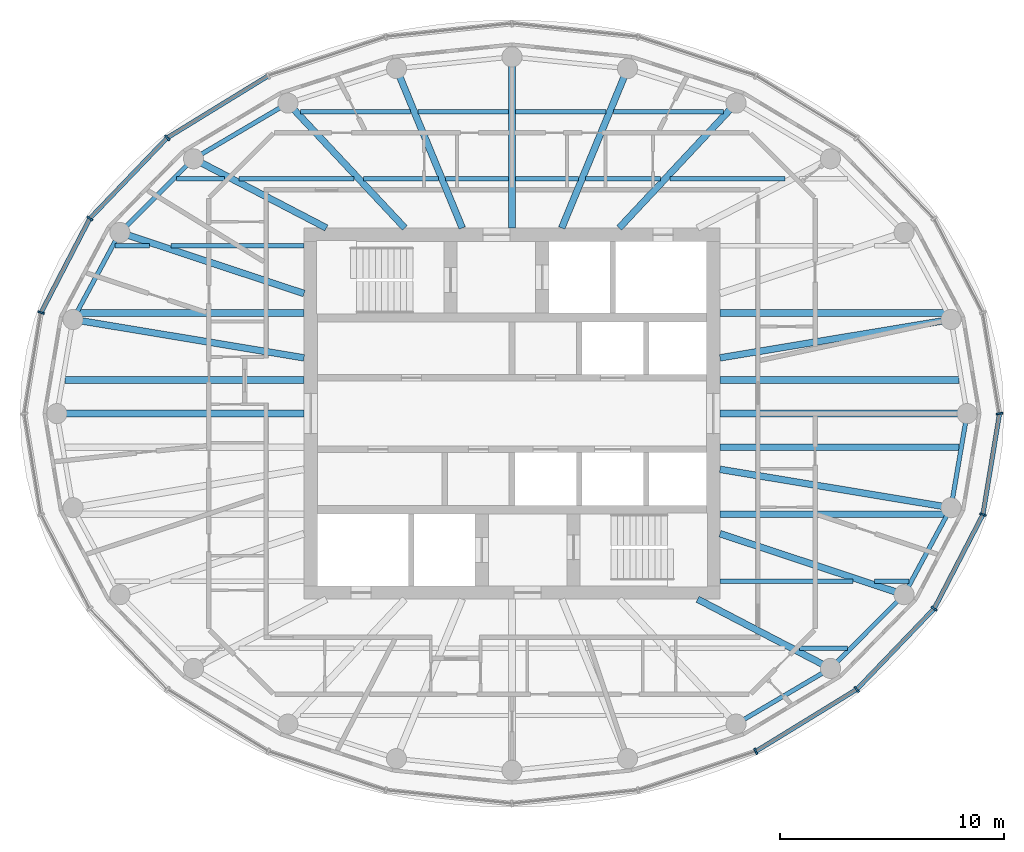
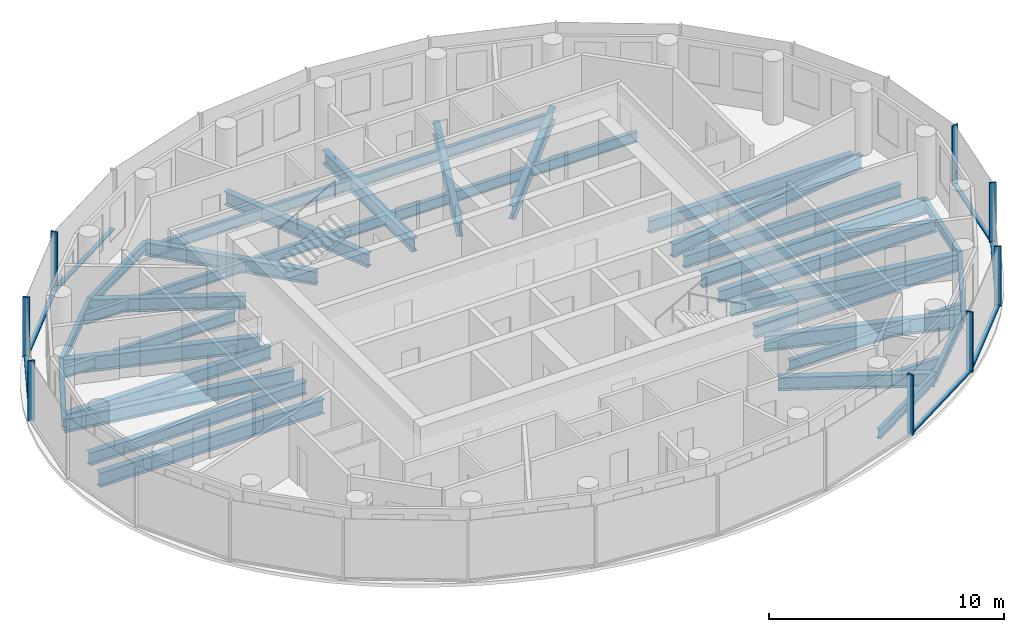
# One storey, part 2 of 11: 43 beams, 15 members, 3 elements without a shape of their own.
"""IFC4 building model written with IfcOpenShell, lengths in metres."""

from ifc_helpers import new_model, si_unit, direction, frame, origin, origin_2d, place, context, subcontext, project, spatial, rectangle, i_section, extrude, material, material_profile, profile_set, type_object, element, aggregate, save


model = new_model("IFC4")

# Units and contexts
model_context = context("Model", 3, precision=1e-05, world=origin(), true_north=direction((0.0, 1.0)))
body_context = subcontext(model_context, "Body", "Model", "MODEL_VIEW")
ifc_project = project(units=[si_unit("LENGTHUNIT", "METRE"), si_unit("AREAUNIT", "SQUARE_METRE"), si_unit("VOLUMEUNIT", "CUBIC_METRE"), si_unit("PLANEANGLEUNIT", "RADIAN"), si_unit("MASSUNIT", "GRAM", prefix="KILO")], contexts=[model_context])

# Site, building, storey
site_placement = place(None, origin())
site = spatial("IfcSite", under=ifc_project, at=site_placement, CompositionType="ELEMENT")
building_placement = place(site_placement, origin())
building = spatial("IfcBuilding", under=site, at=building_placement, Name="Hankou Lantern Tower", CompositionType="ELEMENT")
storey_placement = place(building_placement, frame((0.0, 0.0, 202.800048828125)))
storey = spatial("IfcBuildingStorey", under=building, at=storey_placement, Name="L54", CompositionType="ELEMENT", Elevation=202.800048828125)

# Beams
ifc_material_1 = material(Name="Steel Q355B", Category="steel")
ifc_material_profile_1 = material_profile(ifc_material_1, i_section(OverallWidth=0.199951171875, OverallDepth=0.5, WebThickness=0.010009765625, FlangeThickness=0.01611328125, FilletRadius=0.012939453125, at=origin_2d()), Name="HN500x200x10x16")
ifc_profile_set_1 = profile_set([ifc_material_profile_1], Name="Steel Q355B")
beam_type_1 = type_object("IfcBeamType", Name="EB5 RING BEAM HN500x200x10x16", PredefinedType="SPANDREL", material=ifc_profile_set_1)
beam_1_placement = place(storey_placement, frame((-10.01904296875, 13.8828125, -0.429931640625), z_axis=(-0.861422897323, -0.507888365655, 0.0), x_axis=(0.507888365655, -0.861422897323, 0.0)))
element("IfcBeam", 1, at=beam_1_placement, inside=storey, type_object=beam_type_1, Name="Ring beam R09-R10 L54", PredefinedType="SPANDREL", context=body_context, shape_type="SweptSolid", body=[
    extrude(i_section(OverallWidth=0.199951171875, OverallDepth=0.5, WebThickness=0.010009765625, FlangeThickness=0.01611328125, FilletRadius=0.012939453125, at=origin_2d()), origin(), (0.0, 0.0, 1.0), 4.901611328125),
])
beam_2_placement = place(storey_placement, frame((-14.241455078125, 11.393310546875, -0.429931640625), z_axis=(-0.706608588034, -0.707604623583, 0.0), x_axis=(0.707604623583, -0.706608588034, 0.0)))
element("IfcBeam", 2, at=beam_2_placement, inside=storey, type_object=beam_type_1, Name="Ring beam R10-R11 L54", PredefinedType="SPANDREL", context=body_context, shape_type="SweptSolid", body=[
    extrude(i_section(OverallWidth=0.199951171875, OverallDepth=0.5, WebThickness=0.010009765625, FlangeThickness=0.01611328125, FilletRadius=0.012939453125, at=origin_2d()), origin(), (0.0, 0.0, 1.0), 4.6572265625),
])
beam_3_placement = place(storey_placement, frame((-17.5322265625, 8.097900390625, -0.429931640625), z_axis=(-0.474491806611, -0.880259919262, 0.0), x_axis=(0.880259919262, -0.474491806611, 0.0)))
element("IfcBeam", 3, at=beam_3_placement, inside=storey, type_object=beam_type_1, Name="Ring beam R11-R12 L54", PredefinedType="SPANDREL", context=body_context, shape_type="SweptSolid", body=[
    extrude(i_section(OverallWidth=0.199951171875, OverallDepth=0.5, WebThickness=0.010009765625, FlangeThickness=0.01611328125, FilletRadius=0.012939453125, at=origin_2d()), origin(), (0.0, 0.0, 1.0), 4.419189453125),
])
beam_4_placement = place(storey_placement, frame((10.01904296875, -13.8828125, -0.429931640625), z_axis=(0.861422897323, 0.507888365655, 0.0), x_axis=(-0.507888365655, 0.861422897323, 0.0)))
element("IfcBeam", 4, at=beam_4_placement, inside=storey, type_object=beam_type_1, Name="Ring beam R21-R22 L54", PredefinedType="SPANDREL", context=body_context, shape_type="SweptSolid", body=[
    extrude(i_section(OverallWidth=0.199951171875, OverallDepth=0.5, WebThickness=0.010009765625, FlangeThickness=0.01611328125, FilletRadius=0.012939453125, at=origin_2d()), origin(), (0.0, 0.0, 1.0), 4.901611328125),
])
beam_5_placement = place(storey_placement, frame((14.241455078125, -11.393310546875, -0.429931640625), z_axis=(0.706608588034, 0.707604623583, 0.0), x_axis=(-0.707604623583, 0.706608588034, 0.0)))
element("IfcBeam", 5, at=beam_5_placement, inside=storey, type_object=beam_type_1, Name="Ring beam R22-R23 L54", PredefinedType="SPANDREL", context=body_context, shape_type="SweptSolid", body=[
    extrude(i_section(OverallWidth=0.199951171875, OverallDepth=0.5, WebThickness=0.010009765625, FlangeThickness=0.01611328125, FilletRadius=0.012939453125, at=origin_2d()), origin(), (0.0, 0.0, 1.0), 4.6572265625),
])
beam_6_placement = place(storey_placement, frame((17.5322265625, -8.097900390625, -0.429931640625), z_axis=(0.474491806611, 0.880259919262, 0.0), x_axis=(-0.880259919262, 0.474491806611, 0.0)))
element("IfcBeam", 6, at=beam_6_placement, inside=storey, type_object=beam_type_1, Name="Ring beam R23-R24 L54", PredefinedType="SPANDREL", context=body_context, shape_type="SweptSolid", body=[
    extrude(i_section(OverallWidth=0.199951171875, OverallDepth=0.5, WebThickness=0.010009765625, FlangeThickness=0.01611328125, FilletRadius=0.012939453125, at=origin_2d()), origin(), (0.0, 0.0, 1.0), 4.419189453125),
])
beam_7_placement = place(storey_placement, frame((19.629150390625, -4.207763671875, -0.429931640625), z_axis=(0.168876512999, 0.98563721691, 0.0), x_axis=(-0.98563721691, 0.168876512999, 0.0)))
element("IfcBeam", 7, at=beam_7_placement, inside=storey, type_object=beam_type_1, Name="Ring beam R24-R01 L54", PredefinedType="SPANDREL", context=body_context, shape_type="SweptSolid", body=[
    extrude(i_section(OverallWidth=0.199951171875, OverallDepth=0.5, WebThickness=0.010009765625, FlangeThickness=0.01611328125, FilletRadius=0.012939453125, at=origin_2d()), origin(), (0.0, 0.0, 1.0), 4.26904296875),
])

# Curtain wall, member
ifc_material_2 = material(Name="Glass, dark grey tinted laminated", Category="glass")
curtain_wall_type = type_object("IfcCurtainWallType", Name="CWD OUTER SKIN SUITE", PredefinedType="USERDEFINED", material=ifc_material_2)
curtain_wall_1_placement = place(storey_placement, origin())
curtain_wall_1 = element("IfcCurtainWall", 8, at=curtain_wall_1_placement, inside=storey, type_object=curtain_wall_type, Name="CWD L54 OS1", ObjectType="OUTER SKIN SUITE", PredefinedType="USERDEFINED")
ifc_material_3 = material(Name="Aluminium, black anodised", Category="aluminium")
ifc_material_profile_2 = material_profile(ifc_material_3, rectangle(XDim=0.080078125, YDim=0.300048828125, at=origin_2d()), Name="MU1 80X300")
ifc_profile_set_2 = profile_set([ifc_material_profile_2], Name="Aluminium, black anodised")
member_type_1 = type_object("IfcMemberType", Name="MU1 OUTER SKIN MULLION 80X300", PredefinedType="MULLION", material=ifc_profile_set_2)
member_1_placement = place(storey_placement, frame((21.800048828125, 0.0, 0.0), z_axis=(0.0, 0.0, 1.0), x_axis=(-0.162381515188, 0.986728049427, 0.0)))
member_1 = element("IfcMember", 9, at=member_1_placement, type_object=member_type_1, Name="CWD mullion 1", PredefinedType="MULLION", context=body_context, shape_type="SweptSolid", body=[
    extrude(rectangle(XDim=0.080078125, YDim=0.300048828125, at=origin_2d()), origin(), (0.0, 0.0, 1.0), 3.119873046875),
])
aggregate(curtain_wall_1, [member_1])

# Curtain wall, members
curtain_wall_2_placement = place(storey_placement, origin())
curtain_wall_2 = element("IfcCurtainWall", 10, at=curtain_wall_2_placement, inside=storey, type_object=curtain_wall_type, Name="CWD L54 OS2", ObjectType="OUTER SKIN SUITE", PredefinedType="USERDEFINED")
member_2_placement = place(storey_placement, frame((-15.4150390625, 12.33203125, 0.0), z_axis=(0.0, 0.0, 1.0), x_axis=(-0.780868809444, -0.624695047553, 0.0)))
member_2 = element("IfcMember", 11, at=member_2_placement, type_object=member_type_1, Name="CWD mullion 4", PredefinedType="MULLION", context=body_context, shape_type="SweptSolid", body=[
    extrude(rectangle(XDim=0.080078125, YDim=0.300048828125, at=origin_2d()), origin(), (0.0, 0.0, 1.0), 3.119873046875),
])
member_3_placement = place(storey_placement, frame((-18.87939453125, 8.719970703125, 0.0), z_axis=(0.0, 0.0, 1.0), x_axis=(-0.585205735974, -0.810884854084, 0.0)))
member_3 = element("IfcMember", 12, at=member_3_placement, type_object=member_type_1, Name="CWD mullion 5", PredefinedType="MULLION", context=body_context, shape_type="SweptSolid", body=[
    extrude(rectangle(XDim=0.080078125, YDim=0.300048828125, at=origin_2d()), origin(), (0.0, 0.0, 1.0), 3.119873046875),
])
member_4_placement = place(storey_placement, frame((-21.05712890625, 4.513916015625, 0.0), z_axis=(0.0, 0.0, 1.0), x_axis=(-0.317595577365, -0.94822626479, 0.0)))
member_4 = element("IfcMember", 13, at=member_4_placement, type_object=member_type_1, Name="CWD mullion 6", PredefinedType="MULLION", context=body_context, shape_type="SweptSolid", body=[
    extrude(rectangle(XDim=0.080078125, YDim=0.300048828125, at=origin_2d()), origin(), (0.0, 0.0, 1.0), 3.119873046875),
])

curtain_wall_3_placement = place(storey_placement, origin())
curtain_wall_3 = element("IfcCurtainWall", 14, at=curtain_wall_3_placement, inside=storey, type_object=curtain_wall_type, Name="CWD L54 OS4", ObjectType="OUTER SKIN SUITE", PredefinedType="USERDEFINED")
member_5_placement = place(storey_placement, frame((10.89990234375, -15.103515625, 0.0), z_axis=(0.0, 0.0, 1.0), x_axis=(0.907841299004, 0.419313934686, 0.0)))
member_5 = element("IfcMember", 15, at=member_5_placement, type_object=member_type_1, Name="CWD mullion 3", PredefinedType="MULLION", context=body_context, shape_type="SweptSolid", body=[
    extrude(rectangle(XDim=0.080078125, YDim=0.300048828125, at=origin_2d()), origin(), (0.0, 0.0, 1.0), 3.119873046875),
])
member_6_placement = place(storey_placement, frame((15.4150390625, -12.33203125, 0.0), z_axis=(0.0, 0.0, 1.0), x_axis=(0.780868809444, 0.624695047553, 0.0)))
member_6 = element("IfcMember", 16, at=member_6_placement, type_object=member_type_1, Name="CWD mullion 4", PredefinedType="MULLION", context=body_context, shape_type="SweptSolid", body=[
    extrude(rectangle(XDim=0.080078125, YDim=0.300048828125, at=origin_2d()), origin(), (0.0, 0.0, 1.0), 3.119873046875),
])
member_7_placement = place(storey_placement, frame((18.87939453125, -8.719970703125, 0.0), z_axis=(0.0, 0.0, 1.0), x_axis=(0.585205735974, 0.810884854084, 0.0)))
member_7 = element("IfcMember", 17, at=member_7_placement, type_object=member_type_1, Name="CWD mullion 5", PredefinedType="MULLION", context=body_context, shape_type="SweptSolid", body=[
    extrude(rectangle(XDim=0.080078125, YDim=0.300048828125, at=origin_2d()), origin(), (0.0, 0.0, 1.0), 3.119873046875),
])
member_8_placement = place(storey_placement, frame((21.05712890625, -4.513916015625, 0.0), z_axis=(0.0, 0.0, 1.0), x_axis=(0.317595577365, 0.94822626479, 0.0)))
member_8 = element("IfcMember", 18, at=member_8_placement, type_object=member_type_1, Name="CWD mullion 6", PredefinedType="MULLION", context=body_context, shape_type="SweptSolid", body=[
    extrude(rectangle(XDim=0.080078125, YDim=0.300048828125, at=origin_2d()), origin(), (0.0, 0.0, 1.0), 3.119873046875),
])

# Beams
ifc_material_4 = material(Name="Steel Q355B", Category="steel")
ifc_material_profile_3 = material_profile(ifc_material_4, i_section(OverallWidth=0.300048828125, OverallDepth=0.75, WebThickness=0.012939453125, FlangeThickness=0.02392578125, FilletRadius=0.01806640625, at=origin_2d()), Name="HN750x300x13x24")
ifc_profile_set_3 = profile_set([ifc_material_profile_3], Name="Steel Q355B")
beam_type_2 = type_object("IfcBeamType", Name="RB10 RADIAL BEAM HN750x300x13x24", PredefinedType="BEAM", material=ifc_profile_set_3)
for number, where, z_axis, x_axis, name in (
    (19, (9.300048828125, 0.0, -0.554931640625), (1.0, 0.0, 0.0), (0.0, 1.0, 0.0), "Radial beam R01 L54"),
    (20, (-9.300048828125, 0.0, -0.554931640625), (-1.0, 0.0, 0.0), (0.0, -1.0, 0.0), "Radial beam R13 L54"),
):
    element("IfcBeam", number, at=place(storey_placement, frame(where, z_axis=z_axis, x_axis=x_axis)), inside=storey, type_object=beam_type_2, Name=name, PredefinedType="BEAM", context=body_context, shape_type="SweptSolid", body=[
        extrude(i_section(OverallWidth=0.300048828125, OverallDepth=0.75, WebThickness=0.012939453125, FlangeThickness=0.02392578125, FilletRadius=0.01806640625, at=origin_2d()), origin(), (0.0, 0.0, 1.0), 11.050048828125),
    ])
ifc_material_5 = material(Name="Steel Q355B", Category="steel")
ifc_material_profile_4 = material_profile(ifc_material_5, i_section(OverallWidth=0.300048828125, OverallDepth=0.800048828125, WebThickness=0.013916015625, FlangeThickness=0.02587890625, FilletRadius=0.01806640625, at=origin_2d()), Name="HN800x300x14x26")
ifc_profile_set_4 = profile_set([ifc_material_profile_4], Name="Steel Q355B")
beam_type_3 = type_object("IfcBeamType", Name="RB11 RADIAL BEAM HN800x300x14x26", PredefinedType="BEAM", material=ifc_profile_set_4)
for number, where, z_axis, x_axis, name in (
    (21, (-9.300048828125, 5.369384765625, -0.580078125), (-0.949219608576, 0.314614263337, 0.0), (-0.314614263337, -0.949219608576, 0.0), "Radial beam R11 L54"),
    (22, (9.300048828125, -5.369384765625, -0.580078125), (0.949219608576, -0.314614263337, 0.0), (0.314614263337, 0.949219608576, 0.0), "Radial beam R23 L54"),
):
    element("IfcBeam", number, at=place(storey_placement, frame(where, z_axis=z_axis, x_axis=x_axis)), inside=storey, type_object=beam_type_3, Name=name, PredefinedType="BEAM", context=body_context, shape_type="SweptSolid", body=[
        extrude(i_section(OverallWidth=0.300048828125, OverallDepth=0.800048828125, WebThickness=0.013916015625, FlangeThickness=0.02587890625, FilletRadius=0.01806640625, at=origin_2d()), origin(), (0.0, 0.0, 1.0), 8.672607421875),
    ])
ifc_material_6 = material(Name="Steel Q355B", Category="steel")
ifc_material_profile_5 = material_profile(ifc_material_6, i_section(OverallWidth=0.300048828125, OverallDepth=0.699951171875, WebThickness=0.012939453125, FlangeThickness=0.02392578125, FilletRadius=0.01806640625, at=origin_2d()), Name="HN700x300x13x24")
ifc_profile_set_5 = profile_set([ifc_material_profile_5], Name="Steel Q355B")
beam_type_4 = type_object("IfcBeamType", Name="RB9 RADIAL BEAM HN700x300x13x24", PredefinedType="BEAM", material=ifc_profile_set_5)
beam_8_placement = place(storey_placement, frame((9.300048828125, 2.491943359375, -0.530029296875), z_axis=(0.986482007061, 0.163869612027, 0.0), x_axis=(-0.163869612027, 0.986482007061, 0.0)))
element("IfcBeam", 23, at=beam_8_placement, inside=storey, type_object=beam_type_4, Name="Radial beam R02 L54", PredefinedType="BEAM", context=body_context, shape_type="SweptSolid", body=[
    extrude(i_section(OverallWidth=0.300048828125, OverallDepth=0.699951171875, WebThickness=0.012939453125, FlangeThickness=0.02392578125, FilletRadius=0.01806640625, at=origin_2d()), origin(), (0.0, 0.0, 1.0), 10.470703125),
])
beam_9_placement = place(storey_placement, frame((4.7919921875, 8.300048828125, -0.530029296875), z_axis=(0.68346844743, 0.729980055459, 0.0), x_axis=(-0.729980055459, 0.68346844743, 0.0)))
element("IfcBeam", 24, at=beam_9_placement, inside=storey, type_object=beam_type_4, Name="Radial beam R05 L54", PredefinedType="BEAM", context=body_context, shape_type="SweptSolid", body=[
    extrude(i_section(OverallWidth=0.300048828125, OverallDepth=0.699951171875, WebThickness=0.012939453125, FlangeThickness=0.02392578125, FilletRadius=0.01806640625, at=origin_2d()), origin(), (0.0, 0.0, 1.0), 7.64794921875),
])
beam_10_placement = place(storey_placement, frame((2.223876953125, 8.300048828125, -0.530029296875), z_axis=(0.381706648123, 0.924283525104, 0.0), x_axis=(-0.924283525104, 0.381706648123, 0.0)))
element("IfcBeam", 25, at=beam_10_placement, inside=storey, type_object=beam_type_4, Name="Radial beam R06 L54", PredefinedType="BEAM", context=body_context, shape_type="SweptSolid", body=[
    extrude(i_section(OverallWidth=0.300048828125, OverallDepth=0.699951171875, WebThickness=0.012939453125, FlangeThickness=0.02392578125, FilletRadius=0.01806640625, at=origin_2d()), origin(), (0.0, 0.0, 1.0), 7.7109375),
])
beam_11_placement = place(storey_placement, frame((0.0, 8.300048828125, -0.530029296875), z_axis=(0.0, 1.0, 0.0), x_axis=(-1.0, 0.0, 0.0)))
element("IfcBeam", 26, at=beam_11_placement, inside=storey, type_object=beam_type_4, Name="Radial beam R07 L54", PredefinedType="BEAM", context=body_context, shape_type="SweptSolid", body=[
    extrude(i_section(OverallWidth=0.300048828125, OverallDepth=0.699951171875, WebThickness=0.012939453125, FlangeThickness=0.02392578125, FilletRadius=0.01806640625, at=origin_2d()), origin(), (0.0, 0.0, 1.0), 7.64990234375),
])
beam_12_placement = place(storey_placement, frame((-2.223876953125, 8.300048828125, -0.530029296875), z_axis=(-0.381706648123, 0.924283525104, 0.0), x_axis=(-0.924283525104, -0.381706648123, 0.0)))
element("IfcBeam", 27, at=beam_12_placement, inside=storey, type_object=beam_type_4, Name="Radial beam R08 L54", PredefinedType="BEAM", context=body_context, shape_type="SweptSolid", body=[
    extrude(i_section(OverallWidth=0.300048828125, OverallDepth=0.699951171875, WebThickness=0.012939453125, FlangeThickness=0.02392578125, FilletRadius=0.01806640625, at=origin_2d()), origin(), (0.0, 0.0, 1.0), 7.7109375),
])
beam_13_placement = place(storey_placement, frame((-4.7919921875, 8.300048828125, -0.530029296875), z_axis=(-0.68346844743, 0.729980055459, 0.0), x_axis=(-0.729980055459, -0.68346844743, 0.0)))
element("IfcBeam", 28, at=beam_13_placement, inside=storey, type_object=beam_type_4, Name="Radial beam R09 L54", PredefinedType="BEAM", context=body_context, shape_type="SweptSolid", body=[
    extrude(i_section(OverallWidth=0.300048828125, OverallDepth=0.699951171875, WebThickness=0.012939453125, FlangeThickness=0.02392578125, FilletRadius=0.01806640625, at=origin_2d()), origin(), (0.0, 0.0, 1.0), 7.64794921875),
])
beam_14_placement = place(storey_placement, frame((-8.300048828125, 8.300048828125, -0.530029296875), z_axis=(-0.886988734783, 0.461791061378, 0.0), x_axis=(-0.461791061378, -0.886988734783, 0.0)))
element("IfcBeam", 29, at=beam_14_placement, inside=storey, type_object=beam_type_4, Name="Radial beam R10 L54", PredefinedType="BEAM", context=body_context, shape_type="SweptSolid", body=[
    extrude(i_section(OverallWidth=0.300048828125, OverallDepth=0.699951171875, WebThickness=0.012939453125, FlangeThickness=0.02392578125, FilletRadius=0.01806640625, at=origin_2d()), origin(), (0.0, 0.0, 1.0), 6.698486328125),
])
beam_15_placement = place(storey_placement, frame((-9.300048828125, 2.491943359375, -0.530029296875), z_axis=(-0.986482007061, 0.163869612027, 0.0), x_axis=(-0.163869612027, -0.986482007061, 0.0)))
element("IfcBeam", 30, at=beam_15_placement, inside=storey, type_object=beam_type_4, Name="Radial beam R12 L54", PredefinedType="BEAM", context=body_context, shape_type="SweptSolid", body=[
    extrude(i_section(OverallWidth=0.300048828125, OverallDepth=0.699951171875, WebThickness=0.012939453125, FlangeThickness=0.02392578125, FilletRadius=0.01806640625, at=origin_2d()), origin(), (0.0, 0.0, 1.0), 10.470703125),
])
beam_16_placement = place(storey_placement, frame((8.300048828125, -8.300048828125, -0.530029296875), z_axis=(0.886988734783, -0.461791061378, 0.0), x_axis=(0.461791061378, 0.886988734783, 0.0)))
element("IfcBeam", 31, at=beam_16_placement, inside=storey, type_object=beam_type_4, Name="Radial beam R22 L54", PredefinedType="BEAM", context=body_context, shape_type="SweptSolid", body=[
    extrude(i_section(OverallWidth=0.300048828125, OverallDepth=0.699951171875, WebThickness=0.012939453125, FlangeThickness=0.02392578125, FilletRadius=0.01806640625, at=origin_2d()), origin(), (0.0, 0.0, 1.0), 6.698486328125),
])
beam_17_placement = place(storey_placement, frame((9.300048828125, -2.491943359375, -0.530029296875), z_axis=(0.986482007061, -0.163869612027, 0.0), x_axis=(0.163869612027, 0.986482007061, 0.0)))
element("IfcBeam", 32, at=beam_17_placement, inside=storey, type_object=beam_type_4, Name="Radial beam R24 L54", PredefinedType="BEAM", context=body_context, shape_type="SweptSolid", body=[
    extrude(i_section(OverallWidth=0.300048828125, OverallDepth=0.699951171875, WebThickness=0.012939453125, FlangeThickness=0.02392578125, FilletRadius=0.01806640625, at=origin_2d()), origin(), (0.0, 0.0, 1.0), 10.470703125),
])
ifc_material_7 = material(Name="Steel Q355B", Category="steel")
ifc_material_profile_6 = material_profile(ifc_material_7, i_section(OverallWidth=0.199951171875, OverallDepth=0.550048828125, WebThickness=0.010009765625, FlangeThickness=0.01611328125, FilletRadius=0.012939453125, at=origin_2d()), Name="HN550x200x10x16")
ifc_profile_set_6 = profile_set([ifc_material_profile_6], Name="Steel Q355B")
beam_type_5 = type_object("IfcBeamType", Name="SB6 SECONDARY BEAM HN550x200x10x16", PredefinedType="JOIST", material=ifc_profile_set_6)
beam_18_placement = place(storey_placement, frame((12.8505859375, -10.5, -0.455078125), z_axis=(1.0, 0.0, 0.0), x_axis=(0.0, 1.0, 0.0)))
element("IfcBeam", 33, at=beam_18_placement, inside=storey, type_object=beam_type_5, Name="Floor joist J012 L54", PredefinedType="JOIST", context=body_context, shape_type="SweptSolid", body=[
    extrude(i_section(OverallWidth=0.199951171875, OverallDepth=0.550048828125, WebThickness=0.010009765625, FlangeThickness=0.01611328125, FilletRadius=0.012939453125, at=origin_2d()), origin(), (0.0, 0.0, 1.0), 2.1416015625),
])
beam_19_placement = place(storey_placement, frame((9.300048828125, -7.5, -0.455078125), z_axis=(1.0, 0.0, 0.0), x_axis=(0.0, 1.0, 0.0)))
element("IfcBeam", 34, at=beam_19_placement, inside=storey, type_object=beam_type_5, Name="Floor joist J015 L54", PredefinedType="JOIST", context=body_context, shape_type="SweptSolid", body=[
    extrude(i_section(OverallWidth=0.199951171875, OverallDepth=0.550048828125, WebThickness=0.010009765625, FlangeThickness=0.01611328125, FilletRadius=0.012939453125, at=origin_2d()), origin(), (0.0, 0.0, 1.0), 5.95166015625),
])
for number, where, z_axis, x_axis, name in (
    (35, (16.205322265625, -7.5, -0.455078125), (1.0, 0.0, 0.0), (0.0, 1.0, 0.0), "Floor joist J016 L54"),
    (36, (-17.740966796875, 7.5, -0.455078125), (1.0, 0.0, 0.0), (0.0, 1.0, 0.0), "Floor joist J025 L54"),
):
    element("IfcBeam", number, at=place(storey_placement, frame(where, z_axis=z_axis, x_axis=x_axis)), inside=storey, type_object=beam_type_5, Name=name, PredefinedType="JOIST", context=body_context, shape_type="SweptSolid", body=[
        extrude(i_section(OverallWidth=0.199951171875, OverallDepth=0.550048828125, WebThickness=0.010009765625, FlangeThickness=0.01611328125, FilletRadius=0.012939453125, at=origin_2d()), origin(), (0.0, 0.0, 1.0), 1.53564453125),
    ])
beam_20_placement = place(storey_placement, frame((-15.251708984375, 7.5, -0.455078125), z_axis=(1.0, 0.0, 0.0), x_axis=(0.0, 1.0, 0.0)))
element("IfcBeam", 37, at=beam_20_placement, inside=storey, type_object=beam_type_5, Name="Floor joist J026 L54", PredefinedType="JOIST", context=body_context, shape_type="SweptSolid", body=[
    extrude(i_section(OverallWidth=0.199951171875, OverallDepth=0.550048828125, WebThickness=0.010009765625, FlangeThickness=0.01611328125, FilletRadius=0.012939453125, at=origin_2d()), origin(), (0.0, 0.0, 1.0), 5.95166015625),
])
beam_21_placement = place(storey_placement, frame((-14.9921875, 10.5, -0.455078125), z_axis=(1.0, 0.0, 0.0), x_axis=(0.0, 1.0, 0.0)))
element("IfcBeam", 38, at=beam_21_placement, inside=storey, type_object=beam_type_5, Name="Floor joist J029 L54", PredefinedType="JOIST", context=body_context, shape_type="SweptSolid", body=[
    extrude(i_section(OverallWidth=0.199951171875, OverallDepth=0.550048828125, WebThickness=0.010009765625, FlangeThickness=0.01611328125, FilletRadius=0.012939453125, at=origin_2d()), origin(), (0.0, 0.0, 1.0), 2.1416015625),
])
beam_22_placement = place(storey_placement, frame((-12.200927734375, 10.5, -0.455078125), z_axis=(1.0, 0.0, 0.0), x_axis=(0.0, 1.0, 0.0)))
element("IfcBeam", 39, at=beam_22_placement, inside=storey, type_object=beam_type_5, Name="Floor joist J030 L54", PredefinedType="JOIST", context=body_context, shape_type="SweptSolid", body=[
    extrude(i_section(OverallWidth=0.199951171875, OverallDepth=0.550048828125, WebThickness=0.010009765625, FlangeThickness=0.01611328125, FilletRadius=0.012939453125, at=origin_2d()), origin(), (0.0, 0.0, 1.0), 5.1435546875),
])
beam_23_placement = place(storey_placement, frame((-6.646240234375, 10.5, -0.455078125), z_axis=(1.0, 0.0, 0.0), x_axis=(0.0, 1.0, 0.0)))
element("IfcBeam", 40, at=beam_23_placement, inside=storey, type_object=beam_type_5, Name="Floor joist J031 L54", PredefinedType="JOIST", context=body_context, shape_type="SweptSolid", body=[
    extrude(i_section(OverallWidth=0.199951171875, OverallDepth=0.550048828125, WebThickness=0.010009765625, FlangeThickness=0.01611328125, FilletRadius=0.012939453125, at=origin_2d()), origin(), (0.0, 0.0, 1.0), 3.3515625),
])
for number, where, z_axis, x_axis, name in (
    (41, (-2.97021484375, 10.5, -0.455078125), (1.0, 0.0, 0.0), (0.0, 1.0, 0.0), "Floor joist J032 L54"),
    (42, (0.14990234375, 10.5, -0.455078125), (1.0, 0.0, 0.0), (0.0, 1.0, 0.0), "Floor joist J033 L54"),
):
    element("IfcBeam", number, at=place(storey_placement, frame(where, z_axis=z_axis, x_axis=x_axis)), inside=storey, type_object=beam_type_5, Name=name, PredefinedType="JOIST", context=body_context, shape_type="SweptSolid", body=[
        extrude(i_section(OverallWidth=0.199951171875, OverallDepth=0.550048828125, WebThickness=0.010009765625, FlangeThickness=0.01611328125, FilletRadius=0.012939453125, at=origin_2d()), origin(), (0.0, 0.0, 1.0), 2.8203125),
    ])
beam_24_placement = place(storey_placement, frame((3.294677734375, 10.5, -0.455078125), z_axis=(1.0, 0.0, 0.0), x_axis=(0.0, 1.0, 0.0)))
element("IfcBeam", 43, at=beam_24_placement, inside=storey, type_object=beam_type_5, Name="Floor joist J034 L54", PredefinedType="JOIST", context=body_context, shape_type="SweptSolid", body=[
    extrude(i_section(OverallWidth=0.199951171875, OverallDepth=0.550048828125, WebThickness=0.010009765625, FlangeThickness=0.01611328125, FilletRadius=0.012939453125, at=origin_2d()), origin(), (0.0, 0.0, 1.0), 3.3515625),
])
beam_25_placement = place(storey_placement, frame((7.057373046875, 10.5, -0.455078125), z_axis=(1.0, 0.0, 0.0), x_axis=(0.0, 1.0, 0.0)))
element("IfcBeam", 44, at=beam_25_placement, inside=storey, type_object=beam_type_5, Name="Floor joist J035 L54", PredefinedType="JOIST", context=body_context, shape_type="SweptSolid", body=[
    extrude(i_section(OverallWidth=0.199951171875, OverallDepth=0.550048828125, WebThickness=0.010009765625, FlangeThickness=0.01611328125, FilletRadius=0.012939453125, at=origin_2d()), origin(), (0.0, 0.0, 1.0), 5.1435546875),
])
beam_26_placement = place(storey_placement, frame((-9.455078125, 13.5, -0.455078125), z_axis=(1.0, 0.0, 0.0), x_axis=(0.0, 1.0, 0.0)))
element("IfcBeam", 45, at=beam_26_placement, inside=storey, type_object=beam_type_5, Name="Floor joist J037 L54", PredefinedType="JOIST", context=body_context, shape_type="SweptSolid", body=[
    extrude(i_section(OverallWidth=0.199951171875, OverallDepth=0.550048828125, WebThickness=0.010009765625, FlangeThickness=0.01611328125, FilletRadius=0.012939453125, at=origin_2d()), origin(), (0.0, 0.0, 1.0), 4.92138671875),
])
for number, where, z_axis, x_axis, name in (
    (46, (-4.208984375, 13.5, -0.455078125), (1.0, 0.0, 0.0), (0.0, 1.0, 0.0), "Floor joist J038 L54"),
    (47, (0.14990234375, 13.5, -0.455078125), (1.0, 0.0, 0.0), (0.0, 1.0, 0.0), "Floor joist J039 L54"),
):
    element("IfcBeam", number, at=place(storey_placement, frame(where, z_axis=z_axis, x_axis=x_axis)), inside=storey, type_object=beam_type_5, Name=name, PredefinedType="JOIST", context=body_context, shape_type="SweptSolid", body=[
        extrude(i_section(OverallWidth=0.199951171875, OverallDepth=0.550048828125, WebThickness=0.010009765625, FlangeThickness=0.01611328125, FilletRadius=0.012939453125, at=origin_2d()), origin(), (0.0, 0.0, 1.0), 4.05908203125),
    ])
beam_27_placement = place(storey_placement, frame((4.53369140625, 13.5, -0.455078125), z_axis=(1.0, 0.0, 0.0), x_axis=(0.0, 1.0, 0.0)))
element("IfcBeam", 48, at=beam_27_placement, inside=storey, type_object=beam_type_5, Name="Floor joist J040 L54", PredefinedType="JOIST", context=body_context, shape_type="SweptSolid", body=[
    extrude(i_section(OverallWidth=0.199951171875, OverallDepth=0.550048828125, WebThickness=0.010009765625, FlangeThickness=0.01611328125, FilletRadius=0.012939453125, at=origin_2d()), origin(), (0.0, 0.0, 1.0), 4.92138671875),
])
ifc_material_8 = material(Name="Steel Q355B", Category="steel")
ifc_material_profile_7 = material_profile(ifc_material_8, i_section(OverallWidth=0.300048828125, OverallDepth=0.64990234375, WebThickness=0.010986328125, FlangeThickness=0.01708984375, FilletRadius=0.01806640625, at=origin_2d()), Name="HN650x300x11x17")
ifc_profile_set_7 = profile_set([ifc_material_profile_7], Name="Steel Q355B")
beam_type_6 = type_object("IfcBeamType", Name="SB8 SECONDARY BEAM HN650x300x11x17", PredefinedType="JOIST", material=ifc_profile_set_7)
beam_28_placement = place(storey_placement, frame((9.300048828125, -4.5, -0.505126953125), z_axis=(1.0, 0.0, 0.0), x_axis=(0.0, 1.0, 0.0)))
element("IfcBeam", 49, at=beam_28_placement, inside=storey, type_object=beam_type_6, Name="Floor joist J018 L54", PredefinedType="JOIST", context=body_context, shape_type="SweptSolid", body=[
    extrude(i_section(OverallWidth=0.300048828125, OverallDepth=0.64990234375, WebThickness=0.010986328125, FlangeThickness=0.01708984375, FilletRadius=0.01806640625, at=origin_2d()), origin(), (0.0, 0.0, 1.0), 10.057861328125),
])
for number, where, z_axis, x_axis, name in (
    (50, (9.300048828125, -1.5, -0.505126953125), (1.0, 0.0, 0.0), (0.0, 1.0, 0.0), "Floor joist J020 L54"),
    (51, (-19.991455078125, 1.5, -0.505126953125), (1.0, 0.0, 0.0), (0.0, 1.0, 0.0), "Floor joist J021 L54"),
    (52, (9.300048828125, 1.5, -0.505126953125), (1.0, 0.0, 0.0), (0.0, 1.0, 0.0), "Floor joist J022 L54"),
):
    element("IfcBeam", number, at=place(storey_placement, frame(where, z_axis=z_axis, x_axis=x_axis)), inside=storey, type_object=beam_type_6, Name=name, PredefinedType="JOIST", context=body_context, shape_type="SweptSolid", body=[
        extrude(i_section(OverallWidth=0.300048828125, OverallDepth=0.64990234375, WebThickness=0.010986328125, FlangeThickness=0.01708984375, FilletRadius=0.01806640625, at=origin_2d()), origin(), (0.0, 0.0, 1.0), 10.69140625),
    ])
for number, where, z_axis, x_axis, name in (
    (53, (-19.35791015625, 4.5, -0.505126953125), (1.0, 0.0, 0.0), (0.0, 1.0, 0.0), "Floor joist J023 L54"),
    (54, (9.300048828125, 4.5, -0.505126953125), (1.0, 0.0, 0.0), (0.0, 1.0, 0.0), "Floor joist J024 L54"),
):
    element("IfcBeam", number, at=place(storey_placement, frame(where, z_axis=z_axis, x_axis=x_axis)), inside=storey, type_object=beam_type_6, Name=name, PredefinedType="JOIST", context=body_context, shape_type="SweptSolid", body=[
        extrude(i_section(OverallWidth=0.300048828125, OverallDepth=0.64990234375, WebThickness=0.010986328125, FlangeThickness=0.01708984375, FilletRadius=0.01806640625, at=origin_2d()), origin(), (0.0, 0.0, 1.0), 10.057861328125),
    ])

# Member
ifc_material_9 = material(Name="Aluminium, black anodised", Category="aluminium")
ifc_material_profile_8 = material_profile(ifc_material_9, rectangle(XDim=0.199951171875, YDim=0.080078125, at=origin_2d()), Name="TR1 200X80")
ifc_profile_set_8 = profile_set([ifc_material_profile_8], Name="Aluminium, black anodised")
member_type_2 = type_object("IfcMemberType", Name="TR1 OUTER SKIN TRANSOM 200X80", PredefinedType="USERDEFINED", material=ifc_profile_set_8)
member_9_placement = place(storey_placement, frame((-10.93408203125, 15.08251953125, 0.0400390625), z_axis=(-0.852234544008, -0.523159900986, 0.0), x_axis=(0.523159900986, -0.852234544008, 0.0)))
member_9 = element("IfcMember", 55, at=member_9_placement, type_object=member_type_2, Name="CWD transom 3", ObjectType="TRANSOM", PredefinedType="USERDEFINED", context=body_context, shape_type="SweptSolid", body=[
    extrude(rectangle(XDim=0.199951171875, YDim=0.080078125, at=origin_2d()), origin(), (0.0, 0.0, 1.0), 5.2177734375),
])

member_10_placement = place(storey_placement, frame((-15.442626953125, 12.302978515625, 0.0400390625), z_axis=(-0.692204633274, -0.721701285626, 0.0), x_axis=(0.721701285626, -0.692204633274, 0.0)))
member_10 = element("IfcMember", 56, at=member_10_placement, type_object=member_type_2, Name="CWD transom 4", ObjectType="TRANSOM", PredefinedType="USERDEFINED", context=body_context, shape_type="SweptSolid", body=[
    extrude(rectangle(XDim=0.199951171875, YDim=0.080078125, at=origin_2d()), origin(), (0.0, 0.0, 1.0), 4.9248046875),
])

member_11_placement = place(storey_placement, frame((-18.897705078125, 8.6845703125, 0.0400390625), z_axis=(-0.45979371115, -0.888025755925, 0.0), x_axis=(0.888025755925, -0.45979371115, 0.0)))
member_11 = element("IfcMember", 57, at=member_11_placement, type_object=member_type_2, Name="CWD transom 5", ObjectType="TRANSOM", PredefinedType="USERDEFINED", context=body_context, shape_type="SweptSolid", body=[
    extrude(rectangle(XDim=0.199951171875, YDim=0.080078125, at=origin_2d()), origin(), (0.0, 0.0, 1.0), 4.65673828125),
])

aggregate(curtain_wall_2, [member_2, member_3, member_4, member_9, member_10, member_11])

member_12_placement = place(storey_placement, frame((10.93408203125, -15.08251953125, 0.0400390625), z_axis=(0.852234544008, 0.523159900986, 0.0), x_axis=(-0.523159900986, 0.852234544008, 0.0)))
member_12 = element("IfcMember", 58, at=member_12_placement, type_object=member_type_2, Name="CWD transom 3", ObjectType="TRANSOM", PredefinedType="USERDEFINED", context=body_context, shape_type="SweptSolid", body=[
    extrude(rectangle(XDim=0.199951171875, YDim=0.080078125, at=origin_2d()), origin(), (0.0, 0.0, 1.0), 5.2177734375),
])

member_13_placement = place(storey_placement, frame((15.442626953125, -12.302978515625, 0.0400390625), z_axis=(0.692204633274, 0.721701285626, 0.0), x_axis=(-0.721701285626, 0.692204633274, 0.0)))
member_13 = element("IfcMember", 59, at=member_13_placement, type_object=member_type_2, Name="CWD transom 4", ObjectType="TRANSOM", PredefinedType="USERDEFINED", context=body_context, shape_type="SweptSolid", body=[
    extrude(rectangle(XDim=0.199951171875, YDim=0.080078125, at=origin_2d()), origin(), (0.0, 0.0, 1.0), 4.9248046875),
])

member_14_placement = place(storey_placement, frame((18.897705078125, -8.6845703125, 0.0400390625), z_axis=(0.45979371115, 0.888025755925, 0.0), x_axis=(-0.888025755925, 0.45979371115, 0.0)))
member_14 = element("IfcMember", 60, at=member_14_placement, type_object=member_type_2, Name="CWD transom 5", ObjectType="TRANSOM", PredefinedType="USERDEFINED", context=body_context, shape_type="SweptSolid", body=[
    extrude(rectangle(XDim=0.199951171875, YDim=0.080078125, at=origin_2d()), origin(), (0.0, 0.0, 1.0), 4.65673828125),
])

member_15_placement = place(storey_placement, frame((21.063720703125, -4.474365234375, 0.0400390625), z_axis=(0.162363822839, 0.986730960816, 0.0), x_axis=(-0.986730960816, 0.162363822839, 0.0)))
member_15 = element("IfcMember", 61, at=member_15_placement, type_object=member_type_2, Name="CWD transom 6", ObjectType="TRANSOM", PredefinedType="USERDEFINED", context=body_context, shape_type="SweptSolid", body=[
    extrude(rectangle(XDim=0.199951171875, YDim=0.080078125, at=origin_2d()), origin(), (0.0, 0.0, 1.0), 4.494384765625),
])

aggregate(curtain_wall_3, [member_5, member_6, member_7, member_8, member_12, member_13, member_14, member_15])

save(model, "model.ifc")
